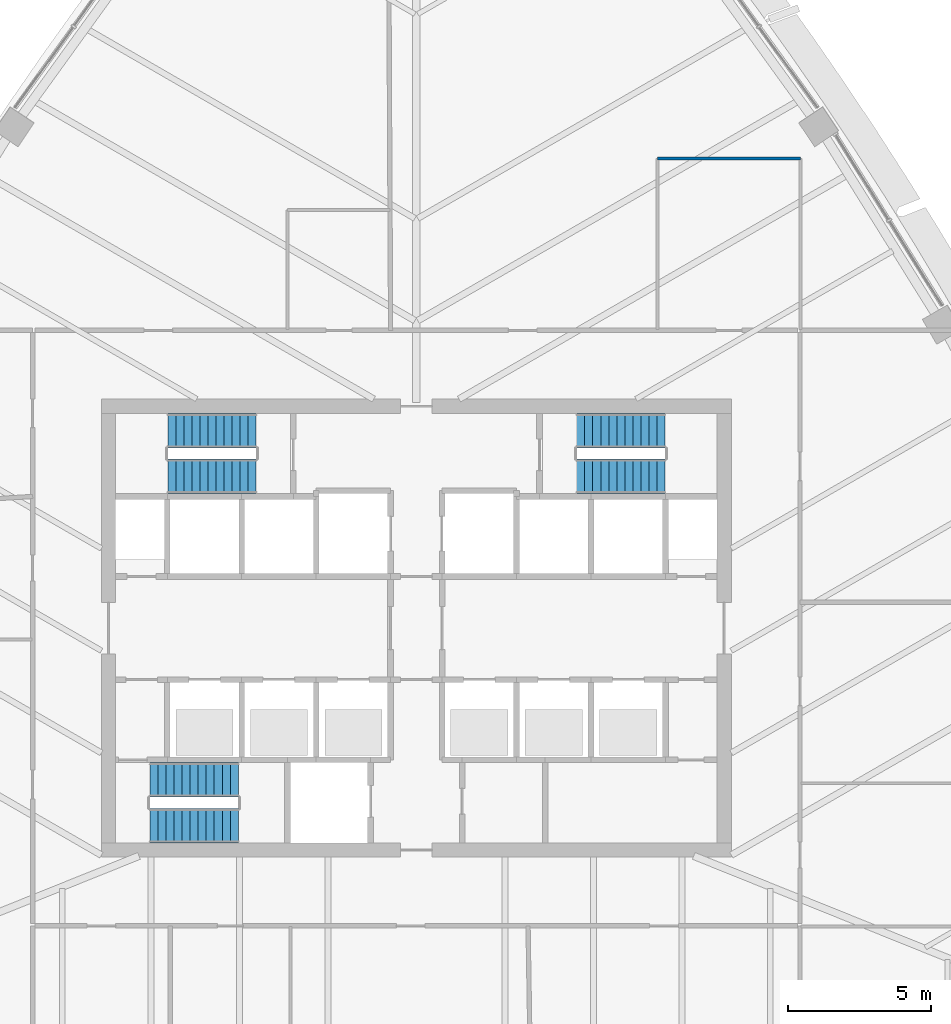
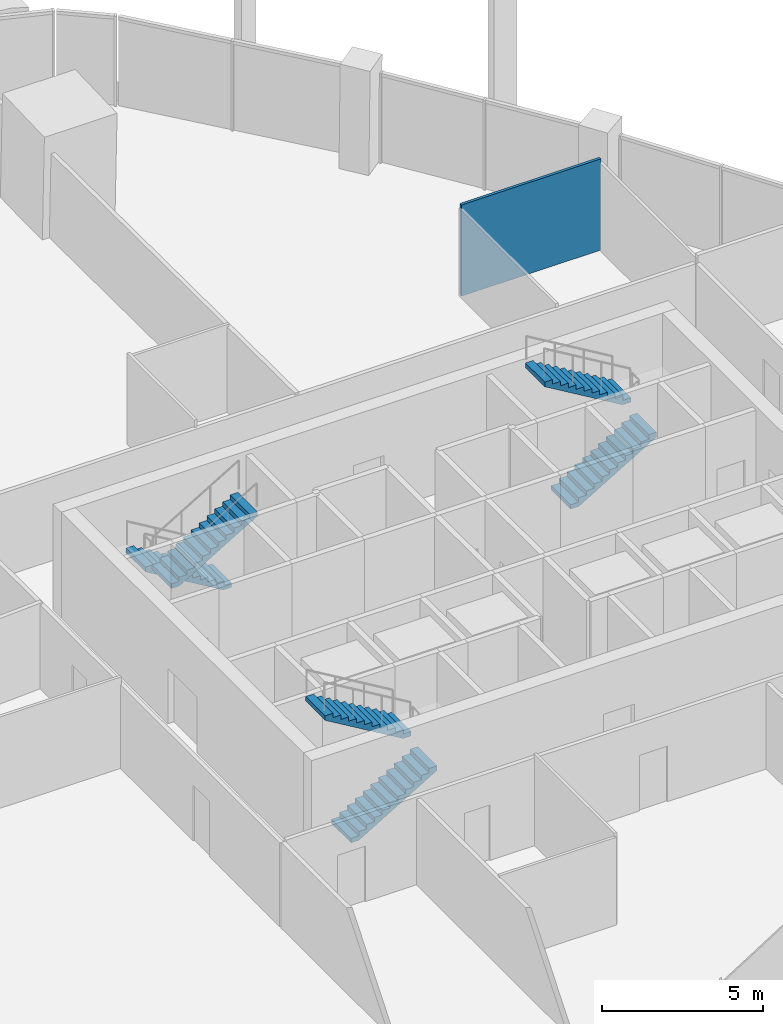
# One storey, part 12 of 19: 6 stair flights, 1 wall, 3 elements without a shape of their own.
"""IFC4 building model written with IfcOpenShell, lengths in metres."""

from ifc_helpers import new_model, si_unit, direction, frame, frame_2d, origin, place, context, subcontext, project, spatial, polyline, rectangle, outline, extrude, material, layer, layer_set, type_object, element, aggregate, save


model = new_model("IFC4")

# Units and contexts
model_context = context("Model", 3, precision=1e-05, world=origin(), true_north=direction((0.0, 1.0)))
body_context = subcontext(model_context, "Body", "Model", "MODEL_VIEW")
ifc_project = project(units=[si_unit("LENGTHUNIT", "METRE"), si_unit("AREAUNIT", "SQUARE_METRE"), si_unit("VOLUMEUNIT", "CUBIC_METRE"), si_unit("PLANEANGLEUNIT", "RADIAN"), si_unit("MASSUNIT", "GRAM", prefix="KILO")], contexts=[model_context])

# Site, building, storey
site_placement = place(None, origin())
site = spatial("IfcSite", under=ifc_project, at=site_placement, CompositionType="ELEMENT")
building_placement = place(site_placement, origin())
building = spatial("IfcBuilding", under=site, at=building_placement, Name="Sierra Prisma Convention Tower", CompositionType="ELEMENT")
storey_placement = place(building_placement, frame((0.0, 0.0, 193.800048828125)))
storey = spatial("IfcBuildingStorey", under=building, at=storey_placement, Name="L43", CompositionType="ELEMENT", Elevation=193.800048828125)

# Wall
ifc_material_1 = material(Name="Gypsum board partition", Category="gypsum")
ifc_layer = layer(ifc_material_1, 0.10009765625)
ifc_layer_set = layer_set([ifc_layer], Name="Bathroom partition 100")
wall_type = type_object("IfcWallType", Name="Bathroom partition 100", PredefinedType="PARTITIONING", material=ifc_layer_set)
wall_placement = place(storey_placement, frame((8.419921875, 16.39990234375, 0.0), z_axis=(0.0, 0.0, 1.0), x_axis=(1.0, 0.0, 0.0)))
element("IfcWall", 1, at=wall_placement, inside=storey, type_object=wall_type, Name="Partition L43 bath 8", PredefinedType="PARTITIONING", context=body_context, shape_type="SweptSolid", body=[
    extrude(rectangle(XDim=5.0, YDim=0.10009765625, at=frame_2d((2.5, 0.0))), origin(), (0.0, 0.0, 1.0), 3.449951171875),
])

# Stair, stair flights
ifc_material_2 = material(Name="Concrete C30/37", Category="concrete")
stair_type = type_object("IfcStairType", Name="Stair dog-leg 1200 RC", PredefinedType="HALF_TURN_STAIR", material=ifc_material_2)
stair_1_placement = place(storey_placement, origin())
stair_1 = element("IfcStair", 2, at=stair_1_placement, inside=storey, type_object=stair_type, Name="L43 S1", PredefinedType="HALF_TURN_STAIR")
ifc_material_3 = material(Name="Concrete C30/37", Category="concrete")
stair_flight_type = type_object("IfcStairFlightType", Name="Stair flight RC 1200", PredefinedType="STRAIGHT", material=ifc_material_3)
stair_flight_1_placement = place(storey_placement, frame((-9.300048828125, -6.89990234375, 0.0), z_axis=(0.0, 0.0, 1.0), x_axis=(1.0, 0.0, 0.0)))
stair_flight_1 = element("IfcStairFlight", 3, at=stair_flight_1_placement, type_object=stair_flight_type, Name="S1 flight 1", NumberOfRisers=12, NumberOfTreads=11, PredefinedType="STRAIGHT", RiserHeight=0.166666667, TreadLength=0.28, context=body_context, shape_type="SweptSolid", body=[
    extrude(outline(polyline([(0.0, 0.0), (0.0, 0.166748046875), (0.280029296875, 0.166748046875), (0.280029296875, 0.333251953125), (0.56005859375, 0.333251953125), (0.56005859375, 0.5), (0.840087890625, 0.5), (0.840087890625, 0.666748046875), (1.1201171875, 0.666748046875), (1.1201171875, 0.833251953125), (1.39990234375, 0.833251953125), (1.39990234375, 1.0), (1.679931640625, 1.0), (1.679931640625, 1.166748046875), (1.9599609375, 1.166748046875), (1.9599609375, 1.333251953125), (2.239990234375, 1.333251953125), (2.239990234375, 1.5), (2.52001953125, 1.5), (2.52001953125, 1.666748046875), (2.800048828125, 1.666748046875), (2.800048828125, 1.833251953125), (3.080078125, 1.833251953125), (3.080078125, 2.0), (3.080078125, 1.658935546875), (0.29296875, 0.0), (0.0, 0.0)])), frame((0.0, 0.60009765625, 0.0), z_axis=(0.0, -1.0, 0.0), x_axis=(1.0, 0.0, 0.0)), (0.0, 0.0, 1.0), 1.199951171875),
])
stair_flight_2_placement = place(storey_placement, frame((-6.219970703125, -5.300048828125, 2.0), z_axis=(0.0, 0.0, 1.0), x_axis=(-1.0, 0.0, 0.0)))
stair_flight_2 = element("IfcStairFlight", 4, at=stair_flight_2_placement, type_object=stair_flight_type, Name="S1 flight 2", NumberOfRisers=12, NumberOfTreads=11, PredefinedType="STRAIGHT", RiserHeight=0.166666667, TreadLength=0.28, context=body_context, shape_type="SweptSolid", body=[
    extrude(outline(polyline([(0.0, 0.0), (0.0, 0.166748046875), (0.280029296875, 0.166748046875), (0.280029296875, 0.333251953125), (0.56005859375, 0.333251953125), (0.56005859375, 0.5), (0.840087890625, 0.5), (0.840087890625, 0.666748046875), (1.1201171875, 0.666748046875), (1.1201171875, 0.833251953125), (1.39990234375, 0.833251953125), (1.39990234375, 1.0), (1.679931640625, 1.0), (1.679931640625, 1.166748046875), (1.9599609375, 1.166748046875), (1.9599609375, 1.333251953125), (2.239990234375, 1.333251953125), (2.239990234375, 1.5), (2.52001953125, 1.5), (2.52001953125, 1.666748046875), (2.800048828125, 1.666748046875), (2.800048828125, 1.833251953125), (3.080078125, 1.833251953125), (3.080078125, 2.0), (3.080078125, 1.658935546875), (0.29296875, 0.0), (0.0, 0.0)])), frame((0.0, 0.60009765625, 0.0), z_axis=(0.0, -1.0, 0.0), x_axis=(1.0, 0.0, 0.0)), (0.0, 0.0, 1.0), 1.199951171875),
])
aggregate(stair_1, [stair_flight_1, stair_flight_2])

stair_2_placement = place(storey_placement, origin())
stair_2 = element("IfcStair", 5, at=stair_2_placement, inside=storey, type_object=stair_type, Name="L43 S3", PredefinedType="HALF_TURN_STAIR")
stair_flight_3_placement = place(storey_placement, frame((-5.60009765625, 6.89990234375, 0.0), z_axis=(0.0, 0.0, 1.0), x_axis=(-1.0, 0.0, 0.0)))
stair_flight_3 = element("IfcStairFlight", 6, at=stair_flight_3_placement, type_object=stair_flight_type, Name="S3 flight 1", NumberOfRisers=12, NumberOfTreads=11, PredefinedType="STRAIGHT", RiserHeight=0.166666667, TreadLength=0.28, context=body_context, shape_type="SweptSolid", body=[
    extrude(outline(polyline([(0.0, 0.0), (0.0, 0.166748046875), (0.280029296875, 0.166748046875), (0.280029296875, 0.333251953125), (0.56005859375, 0.333251953125), (0.56005859375, 0.5), (0.840087890625, 0.5), (0.840087890625, 0.666748046875), (1.1201171875, 0.666748046875), (1.1201171875, 0.833251953125), (1.39990234375, 0.833251953125), (1.39990234375, 1.0), (1.679931640625, 1.0), (1.679931640625, 1.166748046875), (1.9599609375, 1.166748046875), (1.9599609375, 1.333251953125), (2.239990234375, 1.333251953125), (2.239990234375, 1.5), (2.52001953125, 1.5), (2.52001953125, 1.666748046875), (2.800048828125, 1.666748046875), (2.800048828125, 1.833251953125), (3.080078125, 1.833251953125), (3.080078125, 2.0), (3.080078125, 1.658935546875), (0.29296875, 0.0), (0.0, 0.0)])), frame((0.0, 0.60009765625, 0.0), z_axis=(0.0, -1.0, 0.0), x_axis=(1.0, 0.0, 0.0)), (0.0, 0.0, 1.0), 1.199951171875),
])
stair_flight_4_placement = place(storey_placement, frame((-8.679931640625, 5.300048828125, 2.0), z_axis=(0.0, 0.0, 1.0), x_axis=(1.0, 0.0, 0.0)))
stair_flight_4 = element("IfcStairFlight", 7, at=stair_flight_4_placement, type_object=stair_flight_type, Name="S3 flight 2", NumberOfRisers=12, NumberOfTreads=11, PredefinedType="STRAIGHT", RiserHeight=0.166666667, TreadLength=0.28, context=body_context, shape_type="SweptSolid", body=[
    extrude(outline(polyline([(0.0, 0.0), (0.0, 0.166748046875), (0.280029296875, 0.166748046875), (0.280029296875, 0.333251953125), (0.56005859375, 0.333251953125), (0.56005859375, 0.5), (0.840087890625, 0.5), (0.840087890625, 0.666748046875), (1.1201171875, 0.666748046875), (1.1201171875, 0.833251953125), (1.39990234375, 0.833251953125), (1.39990234375, 1.0), (1.679931640625, 1.0), (1.679931640625, 1.166748046875), (1.9599609375, 1.166748046875), (1.9599609375, 1.333251953125), (2.239990234375, 1.333251953125), (2.239990234375, 1.5), (2.52001953125, 1.5), (2.52001953125, 1.666748046875), (2.800048828125, 1.666748046875), (2.800048828125, 1.833251953125), (3.080078125, 1.833251953125), (3.080078125, 2.0), (3.080078125, 1.658935546875), (0.29296875, 0.0), (0.0, 0.0)])), frame((0.0, 0.60009765625, 0.0), z_axis=(0.0, -1.0, 0.0), x_axis=(1.0, 0.0, 0.0)), (0.0, 0.0, 1.0), 1.199951171875),
])
aggregate(stair_2, [stair_flight_3, stair_flight_4])

stair_3_placement = place(storey_placement, origin())
stair_3 = element("IfcStair", 8, at=stair_3_placement, inside=storey, type_object=stair_type, Name="L43 S4", PredefinedType="HALF_TURN_STAIR")
stair_flight_5_placement = place(storey_placement, frame((5.60009765625, 5.300048828125, 0.0), z_axis=(0.0, 0.0, 1.0), x_axis=(1.0, 0.0, 0.0)))
stair_flight_5 = element("IfcStairFlight", 9, at=stair_flight_5_placement, type_object=stair_flight_type, Name="S4 flight 1", NumberOfRisers=12, NumberOfTreads=11, PredefinedType="STRAIGHT", RiserHeight=0.166666667, TreadLength=0.28, context=body_context, shape_type="SweptSolid", body=[
    extrude(outline(polyline([(0.0, 0.0), (0.0, 0.166748046875), (0.280029296875, 0.166748046875), (0.280029296875, 0.333251953125), (0.56005859375, 0.333251953125), (0.56005859375, 0.5), (0.840087890625, 0.5), (0.840087890625, 0.666748046875), (1.1201171875, 0.666748046875), (1.1201171875, 0.833251953125), (1.39990234375, 0.833251953125), (1.39990234375, 1.0), (1.679931640625, 1.0), (1.679931640625, 1.166748046875), (1.9599609375, 1.166748046875), (1.9599609375, 1.333251953125), (2.239990234375, 1.333251953125), (2.239990234375, 1.5), (2.52001953125, 1.5), (2.52001953125, 1.666748046875), (2.800048828125, 1.666748046875), (2.800048828125, 1.833251953125), (3.080078125, 1.833251953125), (3.080078125, 2.0), (3.080078125, 1.658935546875), (0.29296875, 0.0), (0.0, 0.0)])), frame((0.0, 0.60009765625, 0.0), z_axis=(0.0, -1.0, 0.0), x_axis=(1.0, 0.0, 0.0)), (0.0, 0.0, 1.0), 1.199951171875),
])
stair_flight_6_placement = place(storey_placement, frame((8.679931640625, 6.89990234375, 2.0), z_axis=(0.0, 0.0, 1.0), x_axis=(-1.0, 0.0, 0.0)))
stair_flight_6 = element("IfcStairFlight", 10, at=stair_flight_6_placement, type_object=stair_flight_type, Name="S4 flight 2", NumberOfRisers=12, NumberOfTreads=11, PredefinedType="STRAIGHT", RiserHeight=0.166666667, TreadLength=0.28, context=body_context, shape_type="SweptSolid", body=[
    extrude(outline(polyline([(0.0, 0.0), (0.0, 0.166748046875), (0.280029296875, 0.166748046875), (0.280029296875, 0.333251953125), (0.56005859375, 0.333251953125), (0.56005859375, 0.5), (0.840087890625, 0.5), (0.840087890625, 0.666748046875), (1.1201171875, 0.666748046875), (1.1201171875, 0.833251953125), (1.39990234375, 0.833251953125), (1.39990234375, 1.0), (1.679931640625, 1.0), (1.679931640625, 1.166748046875), (1.9599609375, 1.166748046875), (1.9599609375, 1.333251953125), (2.239990234375, 1.333251953125), (2.239990234375, 1.5), (2.52001953125, 1.5), (2.52001953125, 1.666748046875), (2.800048828125, 1.666748046875), (2.800048828125, 1.833251953125), (3.080078125, 1.833251953125), (3.080078125, 2.0), (3.080078125, 1.658935546875), (0.29296875, 0.0), (0.0, 0.0)])), frame((0.0, 0.60009765625, 0.0), z_axis=(0.0, -1.0, 0.0), x_axis=(1.0, 0.0, 0.0)), (0.0, 0.0, 1.0), 1.199951171875),
])
aggregate(stair_3, [stair_flight_5, stair_flight_6])

save(model, "model.ifc")
